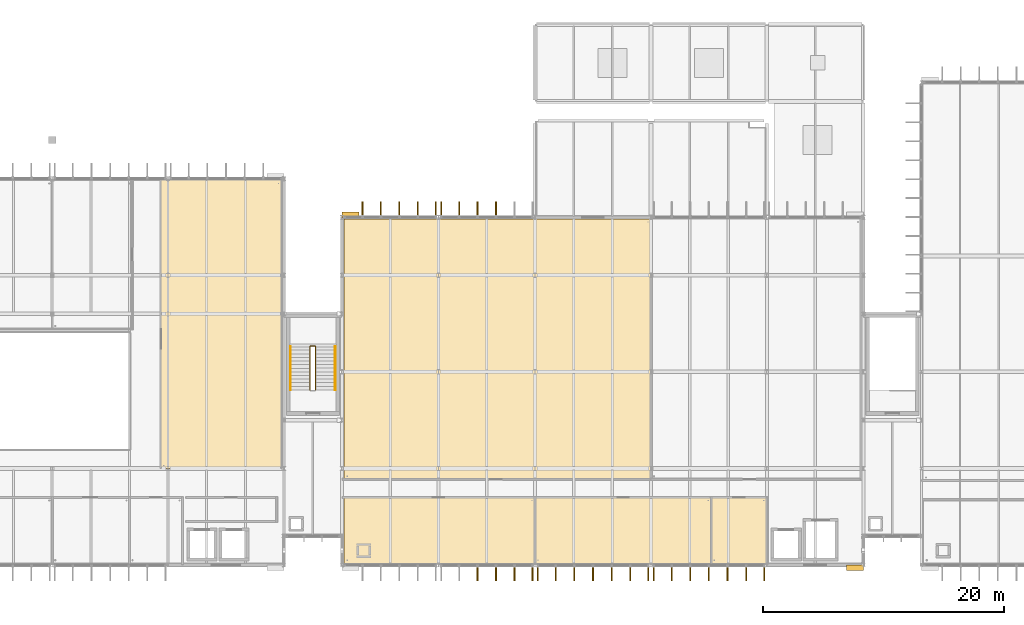
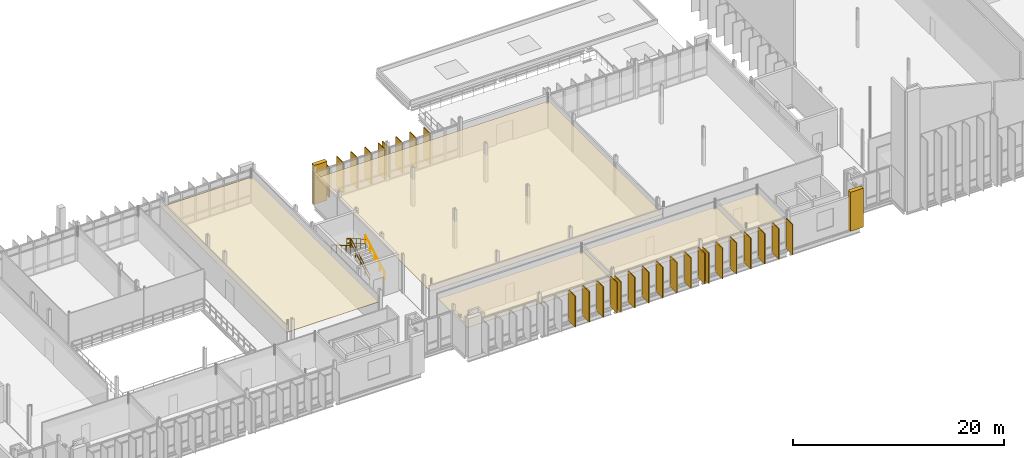
# One storey, part 105 of 110: 34 coverings, 5 railings.
"""IFC4 building model written with IfcOpenShell, lengths in metres."""

from ifc_helpers import new_model, si_unit, direction, frame, origin, origin_2d, place, context, subcontext, project, spatial, polyline, rectangle, circle, outline, extrude, material, layer, layer_set, type_object, element, save


model = new_model("IFC4")

# Units and contexts
model_context = context("Model", 3, precision=1e-05, world=origin(), true_north=direction((0.0, 1.0)))
body_context = subcontext(model_context, "Body", "Model", "MODEL_VIEW")
ifc_project = project(units=[si_unit("LENGTHUNIT", "METRE"), si_unit("AREAUNIT", "SQUARE_METRE"), si_unit("VOLUMEUNIT", "CUBIC_METRE"), si_unit("PLANEANGLEUNIT", "RADIAN"), si_unit("MASSUNIT", "GRAM", prefix="KILO")], contexts=[model_context])

# Site, building, storey
site_placement = place(None, origin())
site = spatial("IfcSite", under=ifc_project, at=site_placement, CompositionType="ELEMENT")
building_placement = place(site_placement, origin())
building = spatial("IfcBuilding", under=site, at=building_placement, Name="Dunescarp Central Library", CompositionType="ELEMENT")
storey_placement = place(building_placement, frame((0.0, 0.0, 9.60009765625)))
storey = spatial("IfcBuildingStorey", under=building, at=storey_placement, Name="L02", CompositionType="ELEMENT", Elevation=9.60009765625)

# Coverings
ifc_material_1 = material(Name="Perforated birch acoustic timber baffle", Category="wood")
ifc_layer_1 = layer(ifc_material_1, 0.050048828125)
ifc_layer_set_1 = layer_set([ifc_layer_1], Name="Perforated birch acoustic timber baffle")
covering_type_1 = type_object("IfcCoveringType", Name="ARC-COV-BAFFLE", PredefinedType="CEILING", material=ifc_layer_set_1)
covering_1_placement = place(storey_placement, frame((0.0, 0.0, 3.0498046875)))
element("IfcCovering", 1, at=covering_1_placement, inside=storey, type_object=covering_type_1, Name="L02 ceiling L02 East Stepped Reading Terrace", PredefinedType="CEILING", context=body_context, shape_type="SweptSolid", body=[
    extrude(outline(polyline([(66.580078125, 12.780029296875), (76.6201171875, 12.780029296875), (76.6201171875, 36.679931640625), (66.580078125, 36.679931640625), (66.580078125, 12.780029296875)])), origin(), (0.0, 0.0, 1.0), 0.050048828125),
])
ifc_material_2 = material(Name="Mineral-fibre acoustic ceiling tile")
ifc_layer_2 = layer(ifc_material_2, 0.0400390625)
ifc_layer_set_2 = layer_set([ifc_layer_2], Name="Mineral-fibre acoustic ceiling tile")
covering_type_2 = type_object("IfcCoveringType", Name="ARC-COV-CEIL40", PredefinedType="CEILING", material=ifc_layer_set_2)
covering_2_placement = place(storey_placement, frame((0.0, 0.0, 3.0498046875)))
element("IfcCovering", 2, at=covering_2_placement, inside=storey, type_object=covering_type_2, Name="L02 ceiling Stacks Wing WC", PredefinedType="CEILING", context=body_context, shape_type="SweptSolid", body=[
    extrude(outline(polyline([(112.179931640625, 4.919921875), (116.820068359375, 4.919921875), (116.820068359375, 10.419921875), (112.179931640625, 10.419921875), (112.179931640625, 4.919921875)])), origin(), (0.0, 0.0, 1.0), 0.0400390625),
])
covering_3_placement = place(storey_placement, frame((0.0, 0.0, 3.0498046875)))
element("IfcCovering", 3, at=covering_3_placement, inside=storey, type_object=covering_type_2, Name="L02 ceiling L02 Seminar & Instruction Room", PredefinedType="CEILING", context=body_context, shape_type="SweptSolid", body=[
    extrude(outline(polyline([(81.780029296875, 4.919921875), (97.6201171875, 4.919921875), (97.6201171875, 10.419921875), (81.780029296875, 10.419921875), (81.780029296875, 4.919921875)])), origin(), (0.0, 0.0, 1.0), 0.0400390625),
])
covering_4_placement = place(storey_placement, frame((0.0, 0.0, 3.0498046875)))
element("IfcCovering", 4, at=covering_4_placement, inside=storey, type_object=covering_type_2, Name="L02 ceiling L02 Quiet Research Offices", PredefinedType="CEILING", context=body_context, shape_type="SweptSolid", body=[
    extrude(outline(polyline([(97.580078125, 4.919921875), (112.219970703125, 4.919921875), (112.219970703125, 10.419921875), (97.580078125, 10.419921875), (97.580078125, 4.919921875)])), origin(), (0.0, 0.0, 1.0), 0.0400390625),
])
covering_5_placement = place(storey_placement, frame((0.0, 0.0, 3.0498046875)))
element("IfcCovering", 5, at=covering_5_placement, inside=storey, type_object=covering_type_2, Name="L02 ceiling L02 High-Density Compact Book Stacks West", PredefinedType="CEILING", context=body_context, shape_type="SweptSolid", body=[
    extrude(outline(polyline([(81.780029296875, 11.8798828125), (107.219970703125, 11.8798828125), (107.219970703125, 33.47998046875), (81.780029296875, 33.47998046875), (81.780029296875, 11.8798828125)])), origin(), (0.0, 0.0, 1.0), 0.0400390625),
])
ifc_material_3 = material(Name="Glass-fibre reinforced concrete GRC", Category="concrete")
ifc_layer_3 = layer(ifc_material_3, 0.090087890625)
ifc_layer_set_3 = layer_set([ifc_layer_3], Name="Glass-fibre reinforced concrete GRC")
covering_type_3 = type_object("IfcCoveringType", Name="ARC-COV-FIN1250", PredefinedType="CLADDING", material=ifc_layer_set_3)
covering_6_placement = place(storey_placement, frame((97.385009765625, 4.137939453125, 0.1669921875), z_axis=(0.0, 0.0, 1.0), x_axis=(0.0, -1.0, 0.0)))
element("IfcCovering", 6, at=covering_6_placement, inside=storey, type_object=covering_type_3, Name="L02 parametric vertical facade fin FIN-L02-0621", PredefinedType="CLADDING", context=body_context, shape_type="SweptSolid", body=[
    extrude(rectangle(XDim=1.25, YDim=0.090087890625, at=origin_2d()), origin(), (0.0, 0.0, 1.0), 3.528076171875),
])
covering_7_placement = place(storey_placement, frame((95.89501953125, 4.137939453125, 0.1796875), z_axis=(0.0, 0.0, 1.0), x_axis=(0.0, -1.0, 0.0)))
element("IfcCovering", 7, at=covering_7_placement, inside=storey, type_object=covering_type_3, Name="L02 parametric vertical facade fin FIN-L02-0622", PredefinedType="CLADDING", context=body_context, shape_type="SweptSolid", body=[
    extrude(rectangle(XDim=1.25, YDim=0.090087890625, at=origin_2d()), origin(), (0.0, 0.0, 1.0), 3.514892578125),
])
covering_8_placement = place(storey_placement, frame((94.364990234375, 4.137939453125, 0.16357421875), z_axis=(0.0, 0.0, 1.0), x_axis=(0.0, -1.0, 0.0)))
element("IfcCovering", 8, at=covering_8_placement, inside=storey, type_object=covering_type_3, Name="L02 parametric vertical facade fin FIN-L02-0623", PredefinedType="CLADDING", context=body_context, shape_type="SweptSolid", body=[
    extrude(rectangle(XDim=1.25, YDim=0.090087890625, at=origin_2d()), origin(), (0.0, 0.0, 1.0), 3.531005859375),
])
covering_9_placement = place(storey_placement, frame((92.8349609375, 4.137939453125, 0.123046875), z_axis=(0.0, 0.0, 1.0), x_axis=(0.0, -1.0, 0.0)))
element("IfcCovering", 9, at=covering_9_placement, inside=storey, type_object=covering_type_3, Name="L02 parametric vertical facade fin FIN-L02-0624", PredefinedType="CLADDING", context=body_context, shape_type="SweptSolid", body=[
    extrude(rectangle(XDim=1.25, YDim=0.090087890625, at=origin_2d()), origin(), (0.0, 0.0, 1.0), 3.572021484375),
])
covering_10_placement = place(storey_placement, frame((106.985107421875, 4.137939453125, 0.1669921875), z_axis=(0.0, 0.0, 1.0), x_axis=(0.0, -1.0, 0.0)))
element("IfcCovering", 10, at=covering_10_placement, inside=storey, type_object=covering_type_3, Name="L02 parametric vertical facade fin FIN-L02-0627", PredefinedType="CLADDING", context=body_context, shape_type="SweptSolid", body=[
    extrude(rectangle(XDim=1.25, YDim=0.090087890625, at=origin_2d()), origin(), (0.0, 0.0, 1.0), 3.528076171875),
])
covering_11_placement = place(storey_placement, frame((105.48291015625, 4.137939453125, 0.1796875), z_axis=(0.0, 0.0, 1.0), x_axis=(0.0, -1.0, 0.0)))
element("IfcCovering", 11, at=covering_11_placement, inside=storey, type_object=covering_type_3, Name="L02 parametric vertical facade fin FIN-L02-0628", PredefinedType="CLADDING", context=body_context, shape_type="SweptSolid", body=[
    extrude(rectangle(XDim=1.25, YDim=0.090087890625, at=origin_2d()), origin(), (0.0, 0.0, 1.0), 3.514892578125),
])
covering_12_placement = place(storey_placement, frame((103.94189453125, 4.137939453125, 0.16357421875), z_axis=(0.0, 0.0, 1.0), x_axis=(0.0, -1.0, 0.0)))
element("IfcCovering", 12, at=covering_12_placement, inside=storey, type_object=covering_type_3, Name="L02 parametric vertical facade fin FIN-L02-0629", PredefinedType="CLADDING", context=body_context, shape_type="SweptSolid", body=[
    extrude(rectangle(XDim=1.25, YDim=0.090087890625, at=origin_2d()), origin(), (0.0, 0.0, 1.0), 3.531005859375),
])
covering_13_placement = place(storey_placement, frame((102.39990234375, 4.137939453125, 0.123046875), z_axis=(0.0, 0.0, 1.0), x_axis=(0.0, -1.0, 0.0)))
element("IfcCovering", 13, at=covering_13_placement, inside=storey, type_object=covering_type_3, Name="L02 parametric vertical facade fin FIN-L02-0630", PredefinedType="CLADDING", context=body_context, shape_type="SweptSolid", body=[
    extrude(rectangle(XDim=1.25, YDim=0.090087890625, at=origin_2d()), origin(), (0.0, 0.0, 1.0), 3.572021484375),
])
covering_14_placement = place(storey_placement, frame((100.85791015625, 4.137939453125, 0.079833984375), z_axis=(0.0, 0.0, 1.0), x_axis=(0.0, -1.0, 0.0)))
element("IfcCovering", 14, at=covering_14_placement, inside=storey, type_object=covering_type_3, Name="L02 parametric vertical facade fin FIN-L02-0631", PredefinedType="CLADDING", context=body_context, shape_type="SweptSolid", body=[
    extrude(rectangle(XDim=1.25, YDim=0.090087890625, at=origin_2d()), origin(), (0.0, 0.0, 1.0), 3.60400390625),
])
covering_15_placement = place(storey_placement, frame((99.31689453125, 4.137939453125, 0.080078125), z_axis=(0.0, 0.0, 1.0), x_axis=(0.0, -1.0, 0.0)))
element("IfcCovering", 15, at=covering_15_placement, inside=storey, type_object=covering_type_3, Name="L02 parametric vertical facade fin FIN-L02-0632", PredefinedType="CLADDING", context=body_context, shape_type="SweptSolid", body=[
    extrude(rectangle(XDim=1.25, YDim=0.090087890625, at=origin_2d()), origin(), (0.0, 0.0, 1.0), 3.553955078125),
])
covering_16_placement = place(storey_placement, frame((97.81494140625, 4.137939453125, 0.080322265625), z_axis=(0.0, 0.0, 1.0), x_axis=(0.0, -1.0, 0.0)))
element("IfcCovering", 16, at=covering_16_placement, inside=storey, type_object=covering_type_3, Name="L02 parametric vertical facade fin FIN-L02-0633", PredefinedType="CLADDING", context=body_context, shape_type="SweptSolid", body=[
    extrude(rectangle(XDim=1.25, YDim=0.090087890625, at=origin_2d()), origin(), (0.0, 0.0, 1.0), 3.52099609375),
])
covering_17_placement = place(storey_placement, frame((116.5849609375, 4.137939453125, 0.1669921875), z_axis=(0.0, 0.0, 1.0), x_axis=(0.0, -1.0, 0.0)))
element("IfcCovering", 17, at=covering_17_placement, inside=storey, type_object=covering_type_3, Name="L02 parametric vertical facade fin FIN-L02-0634", PredefinedType="CLADDING", context=body_context, shape_type="SweptSolid", body=[
    extrude(rectangle(XDim=1.25, YDim=0.090087890625, at=origin_2d()), origin(), (0.0, 0.0, 1.0), 3.528076171875),
])
covering_18_placement = place(storey_placement, frame((115.0830078125, 4.137939453125, 0.1796875), z_axis=(0.0, 0.0, 1.0), x_axis=(0.0, -1.0, 0.0)))
element("IfcCovering", 18, at=covering_18_placement, inside=storey, type_object=covering_type_3, Name="L02 parametric vertical facade fin FIN-L02-0635", PredefinedType="CLADDING", context=body_context, shape_type="SweptSolid", body=[
    extrude(rectangle(XDim=1.25, YDim=0.090087890625, at=origin_2d()), origin(), (0.0, 0.0, 1.0), 3.514892578125),
])
covering_19_placement = place(storey_placement, frame((113.5419921875, 4.137939453125, 0.16357421875), z_axis=(0.0, 0.0, 1.0), x_axis=(0.0, -1.0, 0.0)))
element("IfcCovering", 19, at=covering_19_placement, inside=storey, type_object=covering_type_3, Name="L02 parametric vertical facade fin FIN-L02-0636", PredefinedType="CLADDING", context=body_context, shape_type="SweptSolid", body=[
    extrude(rectangle(XDim=1.25, YDim=0.090087890625, at=origin_2d()), origin(), (0.0, 0.0, 1.0), 3.531005859375),
])
covering_20_placement = place(storey_placement, frame((112.0, 4.137939453125, 0.123046875), z_axis=(0.0, 0.0, 1.0), x_axis=(0.0, -1.0, 0.0)))
element("IfcCovering", 20, at=covering_20_placement, inside=storey, type_object=covering_type_3, Name="L02 parametric vertical facade fin FIN-L02-0637", PredefinedType="CLADDING", context=body_context, shape_type="SweptSolid", body=[
    extrude(rectangle(XDim=1.25, YDim=0.090087890625, at=origin_2d()), origin(), (0.0, 0.0, 1.0), 3.572021484375),
])
covering_21_placement = place(storey_placement, frame((110.4580078125, 4.137939453125, 0.079833984375), z_axis=(0.0, 0.0, 1.0), x_axis=(0.0, -1.0, 0.0)))
element("IfcCovering", 21, at=covering_21_placement, inside=storey, type_object=covering_type_3, Name="L02 parametric vertical facade fin FIN-L02-0638", PredefinedType="CLADDING", context=body_context, shape_type="SweptSolid", body=[
    extrude(rectangle(XDim=1.25, YDim=0.090087890625, at=origin_2d()), origin(), (0.0, 0.0, 1.0), 3.60400390625),
])
covering_22_placement = place(storey_placement, frame((108.9169921875, 4.137939453125, 0.080078125), z_axis=(0.0, 0.0, 1.0), x_axis=(0.0, -1.0, 0.0)))
element("IfcCovering", 22, at=covering_22_placement, inside=storey, type_object=covering_type_3, Name="L02 parametric vertical facade fin FIN-L02-0639", PredefinedType="CLADDING", context=body_context, shape_type="SweptSolid", body=[
    extrude(rectangle(XDim=1.25, YDim=0.090087890625, at=origin_2d()), origin(), (0.0, 0.0, 1.0), 3.553955078125),
])
covering_23_placement = place(storey_placement, frame((107.4150390625, 4.137939453125, 0.080322265625), z_axis=(0.0, 0.0, 1.0), x_axis=(0.0, -1.0, 0.0)))
element("IfcCovering", 23, at=covering_23_placement, inside=storey, type_object=covering_type_3, Name="L02 parametric vertical facade fin FIN-L02-0640", PredefinedType="CLADDING", context=body_context, shape_type="SweptSolid", body=[
    extrude(rectangle(XDim=1.25, YDim=0.090087890625, at=origin_2d()), origin(), (0.0, 0.0, 1.0), 3.52099609375),
])
covering_24_placement = place(storey_placement, frame((83.304931640625, 34.261962890625, 0.1796875), z_axis=(0.0, 0.0, 1.0), x_axis=(0.0, 1.0, 0.0)))
element("IfcCovering", 24, at=covering_24_placement, inside=storey, type_object=covering_type_3, Name="L02 parametric vertical facade fin FIN-L02-0641", PredefinedType="CLADDING", context=body_context, shape_type="SweptSolid", body=[
    extrude(rectangle(XDim=1.25, YDim=0.090087890625, at=origin_2d()), origin(), (0.0, 0.0, 1.0), 3.514892578125),
])
covering_25_placement = place(storey_placement, frame((84.8349609375, 34.261962890625, 0.16357421875), z_axis=(0.0, 0.0, 1.0), x_axis=(0.0, 1.0, 0.0)))
element("IfcCovering", 25, at=covering_25_placement, inside=storey, type_object=covering_type_3, Name="L02 parametric vertical facade fin FIN-L02-0642", PredefinedType="CLADDING", context=body_context, shape_type="SweptSolid", body=[
    extrude(rectangle(XDim=1.25, YDim=0.090087890625, at=origin_2d()), origin(), (0.0, 0.0, 1.0), 3.531005859375),
])
covering_26_placement = place(storey_placement, frame((86.364990234375, 34.261962890625, 0.123046875), z_axis=(0.0, 0.0, 1.0), x_axis=(0.0, 1.0, 0.0)))
element("IfcCovering", 26, at=covering_26_placement, inside=storey, type_object=covering_type_3, Name="L02 parametric vertical facade fin FIN-L02-0643", PredefinedType="CLADDING", context=body_context, shape_type="SweptSolid", body=[
    extrude(rectangle(XDim=1.25, YDim=0.090087890625, at=origin_2d()), origin(), (0.0, 0.0, 1.0), 3.572021484375),
])
covering_27_placement = place(storey_placement, frame((87.89501953125, 34.261962890625, 0.079833984375), z_axis=(0.0, 0.0, 1.0), x_axis=(0.0, 1.0, 0.0)))
element("IfcCovering", 27, at=covering_27_placement, inside=storey, type_object=covering_type_3, Name="L02 parametric vertical facade fin FIN-L02-0644", PredefinedType="CLADDING", context=body_context, shape_type="SweptSolid", body=[
    extrude(rectangle(XDim=1.25, YDim=0.090087890625, at=origin_2d()), origin(), (0.0, 0.0, 1.0), 3.60400390625),
])
covering_28_placement = place(storey_placement, frame((89.385009765625, 34.261962890625, 0.080078125), z_axis=(0.0, 0.0, 1.0), x_axis=(0.0, 1.0, 0.0)))
element("IfcCovering", 28, at=covering_28_placement, inside=storey, type_object=covering_type_3, Name="L02 parametric vertical facade fin FIN-L02-0645", PredefinedType="CLADDING", context=body_context, shape_type="SweptSolid", body=[
    extrude(rectangle(XDim=1.25, YDim=0.090087890625, at=origin_2d()), origin(), (0.0, 0.0, 1.0), 3.553955078125),
])
covering_29_placement = place(storey_placement, frame((89.81494140625, 34.261962890625, 0.1669921875), z_axis=(0.0, 0.0, 1.0), x_axis=(0.0, 1.0, 0.0)))
element("IfcCovering", 29, at=covering_29_placement, inside=storey, type_object=covering_type_3, Name="L02 parametric vertical facade fin FIN-L02-0646", PredefinedType="CLADDING", context=body_context, shape_type="SweptSolid", body=[
    extrude(rectangle(XDim=1.25, YDim=0.090087890625, at=origin_2d()), origin(), (0.0, 0.0, 1.0), 3.528076171875),
])
covering_30_placement = place(storey_placement, frame((91.304931640625, 34.261962890625, 0.1796875), z_axis=(0.0, 0.0, 1.0), x_axis=(0.0, 1.0, 0.0)))
element("IfcCovering", 30, at=covering_30_placement, inside=storey, type_object=covering_type_3, Name="L02 parametric vertical facade fin FIN-L02-0647", PredefinedType="CLADDING", context=body_context, shape_type="SweptSolid", body=[
    extrude(rectangle(XDim=1.25, YDim=0.090087890625, at=origin_2d()), origin(), (0.0, 0.0, 1.0), 3.514892578125),
])
covering_31_placement = place(storey_placement, frame((92.8349609375, 34.261962890625, 0.16357421875), z_axis=(0.0, 0.0, 1.0), x_axis=(0.0, 1.0, 0.0)))
element("IfcCovering", 31, at=covering_31_placement, inside=storey, type_object=covering_type_3, Name="L02 parametric vertical facade fin FIN-L02-0648", PredefinedType="CLADDING", context=body_context, shape_type="SweptSolid", body=[
    extrude(rectangle(XDim=1.25, YDim=0.090087890625, at=origin_2d()), origin(), (0.0, 0.0, 1.0), 3.531005859375),
])
covering_32_placement = place(storey_placement, frame((94.364990234375, 34.261962890625, 0.123046875), z_axis=(0.0, 0.0, 1.0), x_axis=(0.0, 1.0, 0.0)))
element("IfcCovering", 32, at=covering_32_placement, inside=storey, type_object=covering_type_3, Name="L02 parametric vertical facade fin FIN-L02-0649", PredefinedType="CLADDING", context=body_context, shape_type="SweptSolid", body=[
    extrude(rectangle(XDim=1.25, YDim=0.090087890625, at=origin_2d()), origin(), (0.0, 0.0, 1.0), 3.572021484375),
])
ifc_layer_4 = layer(ifc_material_3, 0.449951171875)
ifc_layer_set_4 = layer_set([ifc_layer_4], Name="Glass-fibre reinforced concrete GRC")
covering_type_4 = type_object("IfcCoveringType", Name="ARC-COV-PORTAL", PredefinedType="CLADDING", material=ifc_layer_set_4)
for number, where, z_axis, x_axis, name in (
    (33, (82.300048828125, 33.820068359375, 0.0), (0.0, 0.0, 1.0), (1.0, 0.0, 0.0), "V3 sculpted GRC portal pier PRT-BAND-V3-036"),
    (34, (124.10009765625, 4.580078125, 0.0), (0.0, 0.0, 1.0), (1.0, 0.0, 0.0), "V3 sculpted GRC portal pier PRT-BAND-V3-037"),
):
    element("IfcCovering", number, at=place(storey_placement, frame(where, z_axis=z_axis, x_axis=x_axis)), inside=storey, type_object=covering_type_4, Name=name, PredefinedType="CLADDING", context=body_context, shape_type="SweptSolid", body=[
        extrude(rectangle(XDim=1.39990234375, YDim=0.449951171875, at=origin_2d()), origin(), (0.0, 0.0, 1.0), 4.5),
    ])

# Railings
ifc_material_4 = material(Name="Stainless steel Grade 316L", Category="steel")
railing_type_1 = type_object("IfcRailingType", Name="ARC-RL-GUARD", PredefinedType="GUARDRAIL", material=ifc_material_4)
railing_1_placement = place(storey_placement, frame((79.429931640625, 19.300048828125, 0.173095703125)))
element("IfcRailing", 35, at=railing_1_placement, inside=storey, type_object=railing_type_1, Name="L02 ST-3 stair guard 1", PredefinedType="GUARDRAIL", context=body_context, shape_type="SweptSolid", body=[
    extrude(circle(Radius=0.02392578125, at=origin_2d()), frame((0.0, 0.0, 1.076171875), z_axis=(0.0, 0.866178740119, 0.499734319579), x_axis=(-1.0, 0.0, 0.0)), (0.0, 0.0, 1.0), 4.156005859375),
    extrude(circle(Radius=0.02392578125, at=origin_2d()), frame((0.0, 0.0, 0.550048828125), z_axis=(0.0, 0.866178740119, 0.499734319579), x_axis=(-1.0, 0.0, 0.0)), (0.0, 0.0, 1.0), 4.156005859375),
    extrude(circle(Radius=0.02099609375, at=origin_2d()), origin(), (0.0, 0.0, 1.0), 1.052001953125),
    extrude(circle(Radius=0.02099609375, at=origin_2d()), frame((0.0, 0.89990234375, 0.519287109375)), (0.0, 0.0, 1.0), 1.052001953125),
    extrude(circle(Radius=0.02099609375, at=origin_2d()), frame((0.0, 1.7998046875, 1.03857421875)), (0.0, 0.0, 1.0), 1.052001953125),
    extrude(circle(Radius=0.02099609375, at=origin_2d()), frame((0.0, 2.699951171875, 1.5576171875)), (0.0, 0.0, 1.0), 1.052001953125),
    extrude(circle(Radius=0.02099609375, at=origin_2d()), frame((0.0, 3.599853515625, 2.076904296875)), (0.0, 0.0, 1.0), 1.052001953125),
])
railing_2_placement = place(storey_placement, frame((79.3798828125, 22.949951171875, 2.25)))
element("IfcRailing", 36, at=railing_2_placement, inside=storey, type_object=railing_type_1, Name="L02 ST-3 stair guard 2", PredefinedType="GUARDRAIL", context=body_context, shape_type="SweptSolid", body=[
    extrude(circle(Radius=0.02392578125, at=origin_2d()), frame((0.0, 0.0, 1.076171875), z_axis=(-1.0, 0.0, 0.0), x_axis=(0.0, -1.0, 0.0)), (0.0, 0.0, 1.0), 0.35986328125),
    extrude(circle(Radius=0.02392578125, at=origin_2d()), frame((0.0, 0.0, 0.550048828125), z_axis=(-1.0, 0.0, 0.0), x_axis=(0.0, -1.0, 0.0)), (0.0, 0.0, 1.0), 0.35986328125),
    extrude(circle(Radius=0.02099609375, at=origin_2d()), origin(), (0.0, 0.0, 1.0), 1.052001953125),
    extrude(circle(Radius=0.02099609375, at=origin_2d()), frame((-0.35986328125, 0.0, 0.0)), (0.0, 0.0, 1.0), 1.052001953125),
])
railing_3_placement = place(storey_placement, frame((78.969970703125, 22.89990234375, 2.423095703125)))
element("IfcRailing", 37, at=railing_3_placement, inside=storey, type_object=railing_type_1, Name="L02 ST-3 stair guard 3", PredefinedType="GUARDRAIL", context=body_context, shape_type="SweptSolid", body=[
    extrude(circle(Radius=0.02392578125, at=origin_2d()), frame((0.0, 0.0, 1.076171875), z_axis=(0.0, -0.866178740119, 0.499734319579), x_axis=(1.0, 0.0, 0.0)), (0.0, 0.0, 1.0), 4.156005859375),
    extrude(circle(Radius=0.02392578125, at=origin_2d()), frame((0.0, 0.0, 0.550048828125), z_axis=(0.0, -0.866178740119, 0.499734319579), x_axis=(1.0, 0.0, 0.0)), (0.0, 0.0, 1.0), 4.156005859375),
    extrude(circle(Radius=0.02099609375, at=origin_2d()), origin(), (0.0, 0.0, 1.0), 1.052001953125),
    extrude(circle(Radius=0.02099609375, at=origin_2d()), frame((0.0, -0.89990234375, 0.519287109375)), (0.0, 0.0, 1.0), 1.052001953125),
    extrude(circle(Radius=0.02099609375, at=origin_2d()), frame((0.0, -1.7998046875, 1.03857421875)), (0.0, 0.0, 1.0), 1.052001953125),
    extrude(circle(Radius=0.02099609375, at=origin_2d()), frame((0.0, -2.699951171875, 1.5576171875)), (0.0, 0.0, 1.0), 1.052001953125),
    extrude(circle(Radius=0.02099609375, at=origin_2d()), frame((0.0, -3.599853515625, 2.076904296875)), (0.0, 0.0, 1.0), 1.052001953125),
])
railing_type_2 = type_object("IfcRailingType", Name="ARC-RL-HAND", PredefinedType="HANDRAIL", material=ifc_material_4)
railing_4_placement = place(storey_placement, frame((81.050048828125, 19.300048828125, 0.173095703125)))
element("IfcRailing", 38, at=railing_4_placement, inside=storey, type_object=railing_type_2, Name="L02 ST-3 stair handrail 1", PredefinedType="HANDRAIL", context=body_context, shape_type="SweptSolid", body=[
    extrude(circle(Radius=0.02392578125, at=origin_2d()), frame((0.0, 0.0, 0.8857421875), z_axis=(0.0, 0.866178740119, 0.499734319579), x_axis=(-1.0, 0.0, 0.0)), (0.0, 0.0, 1.0), 4.156005859375),
    extrude(circle(Radius=0.02099609375, at=origin_2d()), origin(), (0.0, 0.0, 1.0), 0.86181640625),
    extrude(circle(Radius=0.02099609375, at=origin_2d()), frame((0.0, 0.89990234375, 0.519287109375)), (0.0, 0.0, 1.0), 0.86181640625),
    extrude(circle(Radius=0.02099609375, at=origin_2d()), frame((0.0, 1.7998046875, 1.03857421875)), (0.0, 0.0, 1.0), 0.86181640625),
    extrude(circle(Radius=0.02099609375, at=origin_2d()), frame((0.0, 2.699951171875, 1.5576171875)), (0.0, 0.0, 1.0), 0.86181640625),
    extrude(circle(Radius=0.02099609375, at=origin_2d()), frame((0.0, 3.599853515625, 2.076904296875)), (0.0, 0.0, 1.0), 0.86181640625),
])
railing_5_placement = place(storey_placement, frame((77.35009765625, 22.89990234375, 2.423095703125)))
element("IfcRailing", 39, at=railing_5_placement, inside=storey, type_object=railing_type_2, Name="L02 ST-3 stair handrail 2", PredefinedType="HANDRAIL", context=body_context, shape_type="SweptSolid", body=[
    extrude(circle(Radius=0.02392578125, at=origin_2d()), frame((0.0, 0.0, 0.8857421875), z_axis=(0.0, -0.866178740119, 0.499734319579), x_axis=(1.0, 0.0, 0.0)), (0.0, 0.0, 1.0), 4.156005859375),
    extrude(circle(Radius=0.02099609375, at=origin_2d()), origin(), (0.0, 0.0, 1.0), 0.86181640625),
    extrude(circle(Radius=0.02099609375, at=origin_2d()), frame((0.0, -0.89990234375, 0.519287109375)), (0.0, 0.0, 1.0), 0.86181640625),
    extrude(circle(Radius=0.02099609375, at=origin_2d()), frame((0.0, -1.7998046875, 1.03857421875)), (0.0, 0.0, 1.0), 0.86181640625),
    extrude(circle(Radius=0.02099609375, at=origin_2d()), frame((0.0, -2.699951171875, 1.5576171875)), (0.0, 0.0, 1.0), 0.86181640625),
    extrude(circle(Radius=0.02099609375, at=origin_2d()), frame((0.0, -3.599853515625, 2.076904296875)), (0.0, 0.0, 1.0), 0.86181640625),
])

save(model, "model.ifc")
